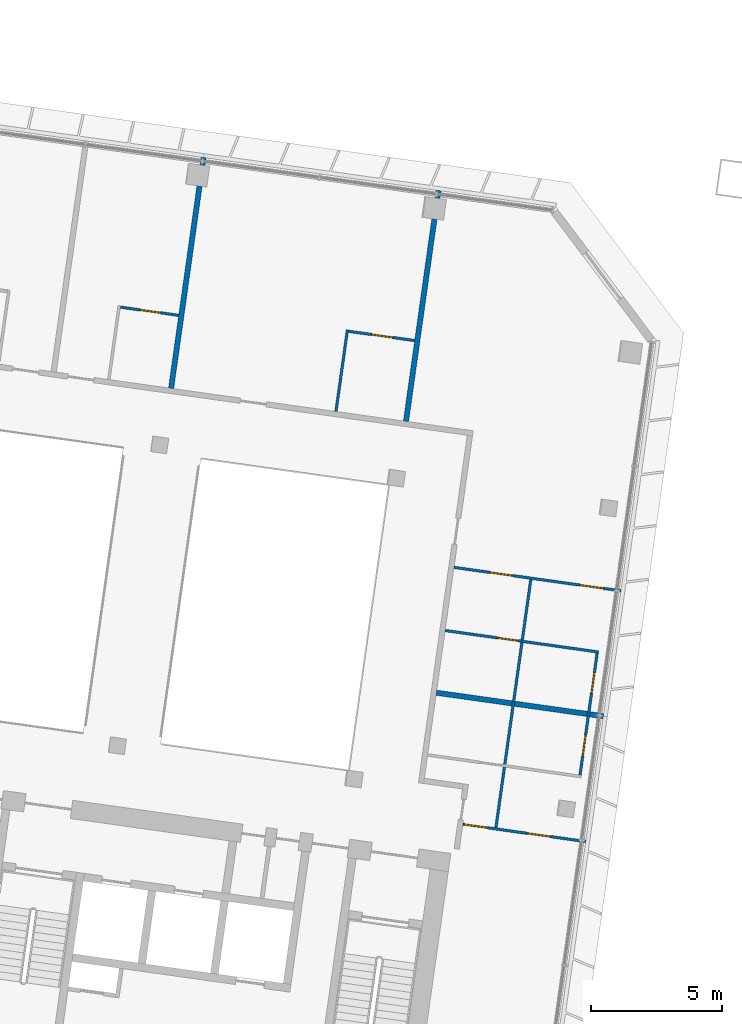
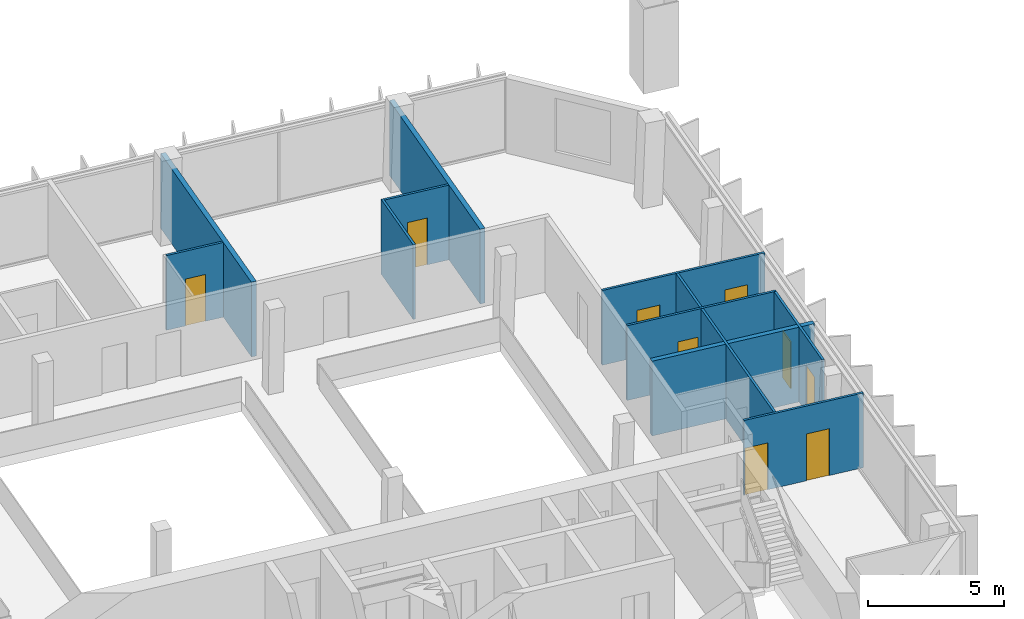
# One storey, part 18 of 26: 11 walls, 9 doors, 9 openings.
"""IFC4 building model written with IfcOpenShell, lengths in metres."""

from ifc_helpers import new_model, si_unit, direction, frame, frame_2d, origin, place, context, subcontext, project, spatial, rectangle, extrude, material, layer, layer_set, type_object, element, fill, save


model = new_model("IFC4")

# Units and contexts
model_context = context("Model", 3, precision=1e-05, world=origin(), true_north=direction((0.0, 1.0)))
body_context = subcontext(model_context, "Body", "Model", "MODEL_VIEW")
ifc_project = project(units=[si_unit("LENGTHUNIT", "METRE"), si_unit("AREAUNIT", "SQUARE_METRE"), si_unit("VOLUMEUNIT", "CUBIC_METRE"), si_unit("PLANEANGLEUNIT", "RADIAN"), si_unit("MASSUNIT", "GRAM", prefix="KILO")], contexts=[model_context])

# Site, building, storey
site_placement = place(None, origin())
site = spatial("IfcSite", under=ifc_project, at=site_placement, CompositionType="ELEMENT")
building_placement = place(site_placement, origin())
building = spatial("IfcBuilding", under=site, at=building_placement, Name="Mirante Cascada Hotel Towers", CompositionType="ELEMENT")
storey_placement = place(building_placement, frame((0.0, 0.0, 168.8)))
storey = spatial("IfcBuildingStorey", under=building, at=storey_placement, Name="L39", CompositionType="ELEMENT", Elevation=168.8)

# Walls
ifc_material_1 = material(Name="Fire-rated plasterboard on metal studs")
ifc_layer_1 = layer(ifc_material_1, 0.2)
ifc_layer_set_1 = layer_set([ifc_layer_1], Name="Compartment wall 200 EI 120")
wall_type_1 = type_object("IfcWallType", Name="Compartment wall 200 EI 120", PredefinedType="PARTITIONING", material=ifc_layer_set_1)
wall_1_placement = place(storey_placement, frame((-36.0406, -1.151, 0.0), z_axis=(0.0, 0.0, 1.0), x_axis=(0.990267, -0.139181, 0.0)))
element("IfcWall", 1, at=wall_1_placement, inside=storey, type_object=wall_type_1, Name="Wall 1-L39-07", PredefinedType="PARTITIONING", context=body_context, shape_type="SweptSolid", body=[
    extrude(rectangle(XDim=6.4377, YDim=0.2, at=frame_2d((3.2189, 0.0))), origin(), (0.0, 0.0, 1.0), 3.35),
])
for number, where, z_axis, x_axis, name in (
    (2, (-37.2003, 9.2112, 0.0), (0.0, 0.0, 1.0), (0.1391794, 0.9902672, 0.0), "Wall 1-L39-30"),
    (3, (-46.1683, 10.4716, 0.0), (0.0, 0.0, 1.0), (0.1391684, 0.9902687, 0.0), "Wall 1-L39-32"),
):
    element("IfcWall", number, at=place(storey_placement, frame(where, z_axis=z_axis, x_axis=x_axis)), inside=storey, type_object=wall_type_1, Name=name, PredefinedType="PARTITIONING", context=body_context, shape_type="SweptSolid", body=[
        extrude(rectangle(XDim=8.9, YDim=0.2, at=frame_2d((4.45, 0.0))), origin(), (0.0, 0.0, 1.0), 3.35),
    ])

# Wall, openings, doors
ifc_material_2 = material(Name="Plasterboard on metal studs")
ifc_layer_2 = layer(ifc_material_2, 0.1)
ifc_layer_set_2 = layer_set([ifc_layer_2], Name="Partition 100")
wall_type_2 = type_object("IfcWallType", Name="Partition 100", PredefinedType="PARTITIONING", material=ifc_layer_set_2)
wall_2_placement = place(storey_placement, frame((-30.3383, -6.8333, 0.0), z_axis=(0.0, 0.0, 1.0), x_axis=(-0.9902665, 0.139184, 0.0)))
wall_2 = element("IfcWall", 4, at=wall_2_placement, inside=storey, type_object=wall_type_2, Name="Wall 1-L39-02", PredefinedType="PARTITIONING", context=body_context, shape_type="SweptSolid", body=[
    extrude(rectangle(XDim=4.7376, YDim=0.1, at=frame_2d((2.3688, 0.0))), origin(), (0.0, 0.0, 1.0), 3.35),
])
opening_1_placement = place(wall_2_placement, frame((1.35, 0.0, 0.0)))
opening_1 = element("IfcOpeningElement", 5, at=opening_1_placement, cuts=wall_2, Name="Opening D1-L39-02", PredefinedType="OPENING", context=body_context, shape_type="SweptSolid", body=[
    extrude(rectangle(XDim=0.9, YDim=2.1, at=frame_2d((0.45, 1.05))), frame((0.0, 0.05, 0.0), z_axis=(0.0, -1.0, 0.0), x_axis=(1.0, 0.0, 0.0)), (0.0, 0.0, 1.0), 0.1),
])
opening_2_placement = place(wall_2_placement, frame((3.7877, 0.0, 0.0)))
opening_2 = element("IfcOpeningElement", 6, at=opening_2_placement, cuts=wall_2, Name="Opening D1-L39-03", PredefinedType="OPENING", context=body_context, shape_type="SweptSolid", body=[
    extrude(rectangle(XDim=0.9, YDim=2.1, at=frame_2d((0.45, 1.05))), frame((0.0, 0.05, 0.0), z_axis=(0.0, -1.0, 0.0), x_axis=(1.0, 0.0, 0.0)), (0.0, 0.0, 1.0), 0.1),
])
ifc_material_3 = material(Name="Timber door leaf", Category="wood")
door_type_1 = type_object("IfcDoorType", Name="Room door DG3 900x2100", OperationType="SINGLE_SWING_LEFT", PredefinedType="DOOR", material=ifc_material_3)
door_1_placement = place(opening_1_placement, origin())
door_1 = element("IfcDoor", 7, at=door_1_placement, inside=storey, type_object=door_type_1, Name="Door D1-L39-02", OperationType="SINGLE_SWING_LEFT", OverallHeight=2.1, OverallWidth=0.9, PredefinedType="DOOR", context=body_context, shape_type="SweptSolid", body=[
    extrude(rectangle(XDim=0.9, YDim=2.1, at=frame_2d((0.45, 1.05))), frame((0.0, 0.025, 0.0), z_axis=(0.0, -1.0, 0.0), x_axis=(1.0, 0.0, 0.0)), (0.0, 0.0, 1.0), 0.05),
])
fill(opening_1, door_1)
door_2_placement = place(opening_2_placement, origin())
door_2 = element("IfcDoor", 8, at=door_2_placement, inside=storey, type_object=door_type_1, Name="Door D1-L39-03", OperationType="SINGLE_SWING_LEFT", OverallHeight=2.1, OverallWidth=0.9, PredefinedType="DOOR", context=body_context, shape_type="SweptSolid", body=[
    extrude(rectangle(XDim=0.9, YDim=2.1, at=frame_2d((0.45, 1.05))), frame((0.0, 0.025, 0.0), z_axis=(0.0, -1.0, 0.0), x_axis=(1.0, 0.0, 0.0)), (0.0, 0.0, 1.0), 0.05),
])
fill(opening_2, door_2)

# Wall, opening, door
wall_3_placement = place(storey_placement, frame((-35.7066, 1.2256, 0.0), z_axis=(0.0, 0.0, 1.0), x_axis=(0.990269, -0.1391668, 0.0)))
wall_3 = element("IfcWall", 9, at=wall_3_placement, inside=storey, type_object=wall_type_2, Name="Wall 1-L39-09", PredefinedType="PARTITIONING", context=body_context, shape_type="SweptSolid", body=[
    extrude(rectangle(XDim=5.9188, YDim=0.1, at=frame_2d((2.9594, 0.0))), origin(), (0.0, 0.0, 1.0), 3.35),
])
opening_3_placement = place(wall_3_placement, frame((2.0188, 0.0, 0.0)))
opening_3 = element("IfcOpeningElement", 10, at=opening_3_placement, cuts=wall_3, Name="Opening D1-L39-06", PredefinedType="OPENING", context=body_context, shape_type="SweptSolid", body=[
    extrude(rectangle(XDim=0.8, YDim=2.1, at=frame_2d((0.4, 1.05))), frame((0.0, 0.05, 0.0), z_axis=(0.0, -1.0, 0.0), x_axis=(1.0, 0.0, 0.0)), (0.0, 0.0, 1.0), 0.1),
])
ifc_material_4 = material(Name="Timber door leaf", Category="wood")
door_type_2 = type_object("IfcDoorType", Name="Bathroom door DG4 800x2100", OperationType="SINGLE_SWING_LEFT", PredefinedType="DOOR", material=ifc_material_4)
door_3_placement = place(opening_3_placement, origin())
door_3 = element("IfcDoor", 11, at=door_3_placement, inside=storey, type_object=door_type_2, Name="Door D1-L39-06", OperationType="SINGLE_SWING_LEFT", OverallHeight=2.1, OverallWidth=0.8, PredefinedType="DOOR", context=body_context, shape_type="SweptSolid", body=[
    extrude(rectangle(XDim=0.8, YDim=2.1, at=frame_2d((0.4, 1.05))), frame((0.0, 0.025, 0.0), z_axis=(0.0, -1.0, 0.0), x_axis=(1.0, 0.0, 0.0)), (0.0, 0.0, 1.0), 0.05),
])
fill(opening_3, door_3)

# Wall, openings, doors
wall_4_placement = place(storey_placement, frame((-28.9929, 2.7393, 0.0), z_axis=(0.0, 0.0, 1.0), x_axis=(-0.9902694, 0.1391637, 0.0)))
wall_4 = element("IfcWall", 12, at=wall_4_placement, inside=storey, type_object=wall_type_2, Name="Wall 1-L39-10", PredefinedType="PARTITIONING", context=body_context, shape_type="SweptSolid", body=[
    extrude(rectangle(XDim=6.4377, YDim=0.1, at=frame_2d((3.2189, 0.0))), origin(), (0.0, 0.0, 1.0), 3.35),
])
opening_4_placement = place(wall_4_placement, frame((0.6844, 0.0, 0.0)))
opening_4 = element("IfcOpeningElement", 13, at=opening_4_placement, cuts=wall_4, Name="Opening D1-L39-07", PredefinedType="OPENING", context=body_context, shape_type="SweptSolid", body=[
    extrude(rectangle(XDim=0.9, YDim=2.1, at=frame_2d((0.45, 1.05))), frame((0.0, 0.05, 0.0), z_axis=(0.0, -1.0, 0.0), x_axis=(1.0, 0.0, 0.0)), (0.0, 0.0, 1.0), 0.1),
])
opening_5_placement = place(wall_4_placement, frame((4.1533, 0.0, 0.0)))
opening_5 = element("IfcOpeningElement", 14, at=opening_5_placement, cuts=wall_4, Name="Opening D1-L39-08", PredefinedType="OPENING", context=body_context, shape_type="SweptSolid", body=[
    extrude(rectangle(XDim=0.9, YDim=2.1, at=frame_2d((0.45, 1.05))), frame((0.0, 0.05, 0.0), z_axis=(0.0, -1.0, 0.0), x_axis=(1.0, 0.0, 0.0)), (0.0, 0.0, 1.0), 0.1),
])
door_4_placement = place(opening_4_placement, frame((0.9, 0.0, 0.0), z_axis=(0.0, 0.0, 1.0), x_axis=(-1.0, 0.0, 0.0)))
door_4 = element("IfcDoor", 15, at=door_4_placement, inside=storey, type_object=door_type_1, Name="Door D1-L39-07", OperationType="SINGLE_SWING_RIGHT", OverallHeight=2.1, OverallWidth=0.9, PredefinedType="DOOR", context=body_context, shape_type="SweptSolid", body=[
    extrude(rectangle(XDim=0.9, YDim=2.1, at=frame_2d((0.45, 1.05))), frame((0.0, 0.025, 0.0), z_axis=(0.0, -1.0, 0.0), x_axis=(1.0, 0.0, 0.0)), (0.0, 0.0, 1.0), 0.05),
])
fill(opening_4, door_4)
door_5_placement = place(opening_5_placement, frame((0.9, 0.0, 0.0), z_axis=(0.0, 0.0, 1.0), x_axis=(-1.0, 0.0, 0.0)))
door_5 = element("IfcDoor", 16, at=door_5_placement, inside=storey, type_object=door_type_1, Name="Door D1-L39-08", OperationType="SINGLE_SWING_RIGHT", OverallHeight=2.1, OverallWidth=0.9, PredefinedType="DOOR", context=body_context, shape_type="SweptSolid", body=[
    extrude(rectangle(XDim=0.9, YDim=2.1, at=frame_2d((0.45, 1.05))), frame((0.0, 0.025, 0.0), z_axis=(0.0, -1.0, 0.0), x_axis=(1.0, 0.0, 0.0)), (0.0, 0.0, 1.0), 0.05),
])
fill(opening_5, door_5)

# Wall, opening, door
wall_5_placement = place(storey_placement, frame((-48.1058, 13.5714, 0.0), z_axis=(0.0, 0.0, 1.0), x_axis=(0.9902643, -0.1391997, 0.0)))
wall_5 = element("IfcWall", 17, at=wall_5_placement, inside=storey, type_object=wall_type_2, Name="Wall 1-L39-17", PredefinedType="PARTITIONING", context=body_context, shape_type="SweptSolid", body=[
    extrude(rectangle(XDim=2.25, YDim=0.1, at=frame_2d((1.125, 0.0))), origin(), (0.0, 0.0, 1.0), 3.35),
])
opening_6_placement = place(wall_5_placement, frame((0.75, 0.0, 0.0)))
opening_6 = element("IfcOpeningElement", 18, at=opening_6_placement, cuts=wall_5, Name="Opening D1-L39-18", PredefinedType="OPENING", context=body_context, shape_type="SweptSolid", body=[
    extrude(rectangle(XDim=0.8, YDim=2.1, at=frame_2d((0.4, 1.05))), frame((0.0, 0.05, 0.0), z_axis=(0.0, -1.0, 0.0), x_axis=(1.0, 0.0, 0.0)), (0.0, 0.0, 1.0), 0.1),
])
door_6_placement = place(opening_6_placement, origin())
door_6 = element("IfcDoor", 19, at=door_6_placement, inside=storey, type_object=door_type_2, Name="Door D1-L39-18", OperationType="SINGLE_SWING_LEFT", OverallHeight=2.1, OverallWidth=0.8, PredefinedType="DOOR", context=body_context, shape_type="SweptSolid", body=[
    extrude(rectangle(XDim=0.8, YDim=2.1, at=frame_2d((0.4, 1.05))), frame((0.0, 0.025, 0.0), z_axis=(0.0, -1.0, 0.0), x_axis=(1.0, 0.0, 0.0)), (0.0, 0.0, 1.0), 0.05),
])
fill(opening_6, door_6)

wall_6_placement = place(storey_placement, frame((-36.8679, 12.2949, 0.0), z_axis=(0.0, 0.0, 1.0), x_axis=(-0.9902677, 0.1391755, 0.0)))
wall_6 = element("IfcWall", 20, at=wall_6_placement, inside=storey, type_object=wall_type_2, Name="Wall 1-L39-20", PredefinedType="PARTITIONING", context=body_context, shape_type="SweptSolid", body=[
    extrude(rectangle(XDim=2.55, YDim=0.1, at=frame_2d((1.275, 0.0))), origin(), (0.0, 0.0, 1.0), 3.35),
])
opening_7_placement = place(wall_6_placement, frame((0.85, 0.0, 0.0)))
opening_7 = element("IfcOpeningElement", 21, at=opening_7_placement, cuts=wall_6, Name="Opening D1-L39-21", PredefinedType="OPENING", context=body_context, shape_type="SweptSolid", body=[
    extrude(rectangle(XDim=0.8, YDim=2.1, at=frame_2d((0.4, 1.05))), frame((0.0, 0.05, 0.0), z_axis=(0.0, -1.0, 0.0), x_axis=(1.0, 0.0, 0.0)), (0.0, 0.0, 1.0), 0.1),
])
door_7_placement = place(opening_7_placement, frame((0.8, 0.0, 0.0), z_axis=(0.0, 0.0, 1.0), x_axis=(-1.0, 0.0, 0.0)))
door_7 = element("IfcDoor", 22, at=door_7_placement, inside=storey, type_object=door_type_2, Name="Door D1-L39-21", OperationType="SINGLE_SWING_RIGHT", OverallHeight=2.1, OverallWidth=0.8, PredefinedType="DOOR", context=body_context, shape_type="SweptSolid", body=[
    extrude(rectangle(XDim=0.8, YDim=2.1, at=frame_2d((0.4, 1.05))), frame((0.0, 0.025, 0.0), z_axis=(0.0, -1.0, 0.0), x_axis=(1.0, 0.0, 0.0)), (0.0, 0.0, 1.0), 0.05),
])
fill(opening_7, door_7)

# Wall, openings, doors
wall_7_placement = place(storey_placement, frame((-29.9019, 0.3593, 0.0), z_axis=(0.0, 0.0, 1.0), x_axis=(-0.1391691, -0.9902686, 0.0)))
wall_7 = element("IfcWall", 23, at=wall_7_placement, inside=storey, type_object=wall_type_2, Name="Wall 1-L39-25", PredefinedType="PARTITIONING", context=body_context, shape_type="SweptSolid", body=[
    extrude(rectangle(XDim=4.7, YDim=0.1, at=frame_2d((2.35, 0.0))), origin(), (0.0, 0.0, 1.0), 3.35),
])
opening_8_placement = place(wall_7_placement, frame((3.15, 0.0, 0.0)))
opening_8 = element("IfcOpeningElement", 24, at=opening_8_placement, cuts=wall_7, Name="Opening D1-L39-25", PredefinedType="OPENING", context=body_context, shape_type="SweptSolid", body=[
    extrude(rectangle(XDim=0.8, YDim=2.1, at=frame_2d((0.4, 1.05))), frame((0.0, 0.05, 0.0), z_axis=(0.0, -1.0, 0.0), x_axis=(1.0, 0.0, 0.0)), (0.0, 0.0, 1.0), 0.1),
])
opening_9_placement = place(wall_7_placement, frame((0.75, 0.0, 0.0)))
opening_9 = element("IfcOpeningElement", 25, at=opening_9_placement, cuts=wall_7, Name="Opening D1-L39-26", PredefinedType="OPENING", context=body_context, shape_type="SweptSolid", body=[
    extrude(rectangle(XDim=0.8, YDim=2.1, at=frame_2d((0.4, 1.05))), frame((0.0, 0.05, 0.0), z_axis=(0.0, -1.0, 0.0), x_axis=(1.0, 0.0, 0.0)), (0.0, 0.0, 1.0), 0.1),
])
door_8_placement = place(opening_8_placement, frame((0.8, 0.0, 0.0), z_axis=(0.0, 0.0, 1.0), x_axis=(-1.0, 0.0, 0.0)))
door_8 = element("IfcDoor", 26, at=door_8_placement, inside=storey, type_object=door_type_2, Name="Door D1-L39-25", OperationType="SINGLE_SWING_RIGHT", OverallHeight=2.1, OverallWidth=0.8, PredefinedType="DOOR", context=body_context, shape_type="SweptSolid", body=[
    extrude(rectangle(XDim=0.8, YDim=2.1, at=frame_2d((0.4, 1.05))), frame((0.0, 0.025, 0.0), z_axis=(0.0, -1.0, 0.0), x_axis=(1.0, 0.0, 0.0)), (0.0, 0.0, 1.0), 0.05),
])
fill(opening_8, door_8)
door_9_placement = place(opening_9_placement, frame((0.8, 0.0, 0.0), z_axis=(0.0, 0.0, 1.0), x_axis=(-1.0, 0.0, 0.0)))
door_9 = element("IfcDoor", 27, at=door_9_placement, inside=storey, type_object=door_type_2, Name="Door D1-L39-26", OperationType="SINGLE_SWING_RIGHT", OverallHeight=2.1, OverallWidth=0.8, PredefinedType="DOOR", context=body_context, shape_type="SweptSolid", body=[
    extrude(rectangle(XDim=0.8, YDim=2.1, at=frame_2d((0.4, 1.05))), frame((0.0, 0.025, 0.0), z_axis=(0.0, -1.0, 0.0), x_axis=(1.0, 0.0, 0.0)), (0.0, 0.0, 1.0), 0.05),
])
fill(opening_9, door_9)

# Walls
wall_8_placement = place(storey_placement, frame((-33.7664, -6.301, 0.0), z_axis=(0.0, 0.0, 1.0), x_axis=(0.1391717, 0.9902683, 0.0)))
element("IfcWall", 28, at=wall_8_placement, inside=storey, type_object=wall_type_2, Name="Wall 1-L39-26", PredefinedType="PARTITIONING", context=body_context, shape_type="SweptSolid", body=[
    extrude(rectangle(XDim=9.5666, YDim=0.1, at=frame_2d((4.7833, 0.0))), origin(), (0.0, 0.0, 1.0), 3.35),
])
wall_9_placement = place(storey_placement, frame((-39.4356, 12.7063, 0.0), z_axis=(0.0, 0.0, 1.0), x_axis=(-0.1391765, -0.9902676, 0.0)))
element("IfcWall", 29, at=wall_9_placement, inside=storey, type_object=wall_type_2, Name="Wall 1-L39-31", PredefinedType="PARTITIONING", context=body_context, shape_type="SweptSolid", body=[
    extrude(rectangle(XDim=3.15, YDim=0.1, at=frame_2d((1.575, 0.0))), origin(), (0.0, 0.0, 1.0), 3.35),
])

save(model, "model.ifc")
